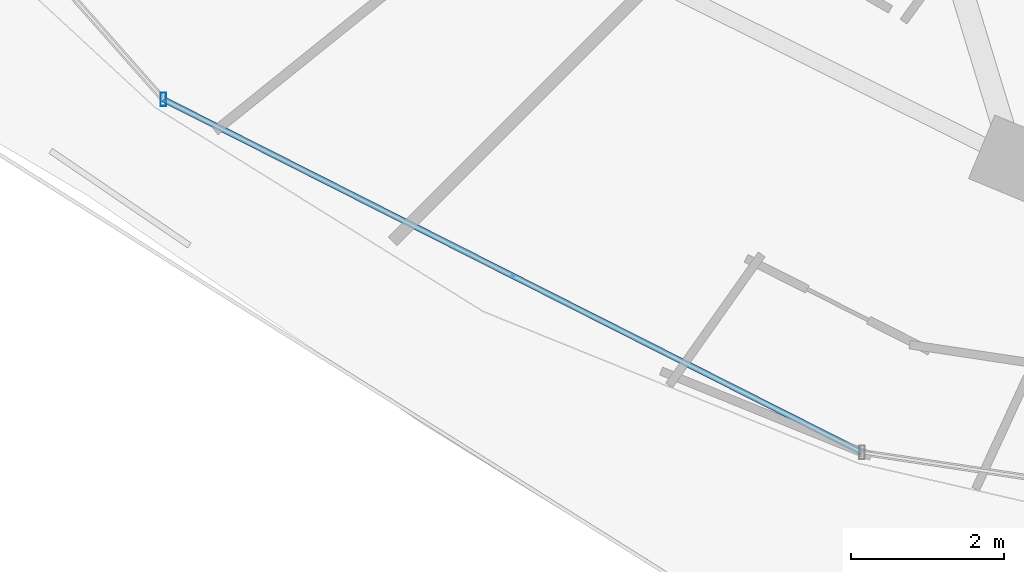
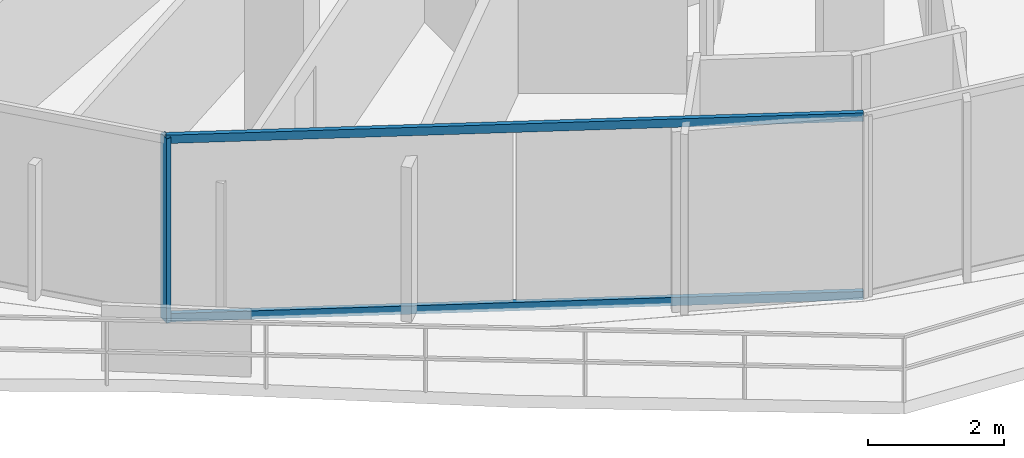
# One storey, part 2 of 34: 3 members, 1 element without a shape of its own.
"""IFC4 building model written with IfcOpenShell, lengths in metres."""

from ifc_helpers import new_model, si_unit, direction, frame, origin, origin_2d, place, context, subcontext, project, spatial, hollow_rectangle, extrude, material, material_profile, profile_set, type_object, element, aggregate, save


model = new_model("IFC4")

# Units and contexts
model_context = context("Model", 3, precision=1e-05, world=origin(), true_north=direction((0.0, 1.0)))
body_context = subcontext(model_context, "Body", "Model", "MODEL_VIEW")
ifc_project = project(units=[si_unit("LENGTHUNIT", "METRE"), si_unit("AREAUNIT", "SQUARE_METRE"), si_unit("VOLUMEUNIT", "CUBIC_METRE"), si_unit("PLANEANGLEUNIT", "RADIAN"), si_unit("MASSUNIT", "GRAM", prefix="KILO")], contexts=[model_context])

# Site, building, storey
site_placement = place(None, origin())
site = spatial("IfcSite", under=ifc_project, at=site_placement, CompositionType="ELEMENT")
building_placement = place(site_placement, origin())
building = spatial("IfcBuilding", under=site, at=building_placement, Name="Vorneva Point Tower", CompositionType="ELEMENT")
storey_placement = place(building_placement, frame((0.0, 0.0, 182.60009765625)))
storey = spatial("IfcBuildingStorey", under=building, at=storey_placement, Name="L49", CompositionType="ELEMENT", Elevation=182.60009765625)

# Curtain wall, members
ifc_material = material(Name="Pale anodised aluminium", Category="aluminium")
curtain_wall_type = type_object("IfcCurtainWallType", Name="CW-RES-SYS", PredefinedType="NOTDEFINED", material=ifc_material)
curtain_wall_placement = place(storey_placement, origin())
curtain_wall = element("IfcCurtainWall", 1, at=curtain_wall_placement, inside=storey, type_object=curtain_wall_type, Name="L49 Unitised Curtain Wall CW-L49-R03", PredefinedType="NOTDEFINED")
ifc_material_profile_1 = material_profile(ifc_material, hollow_rectangle(XDim=0.074951171875, YDim=0.179931640625, WallThickness=0.00390625, at=origin_2d()), Name="AL-MUL 180x75x4")
ifc_profile_set_1 = profile_set([ifc_material_profile_1], Name="Pale anodised aluminium")
member_type_1 = type_object("IfcMemberType", Name="CW-MUL-180", PredefinedType="MULLION", material=ifc_profile_set_1)
member_1_placement = place(storey_placement, frame((18.038330078125, 10.9033203125, -0.0400390625), z_axis=(0.0, 0.0, 1.0), x_axis=(1.0, 0.0, 0.0)))
member_1 = element("IfcMember", 2, at=member_1_placement, type_object=member_type_1, Name="CW-L49-R03 Mullion 02", PredefinedType="MULLION", context=body_context, shape_type="SweptSolid", body=[
    extrude(hollow_rectangle(XDim=0.074951171875, YDim=0.179931640625, WallThickness=0.00390625, at=origin_2d()), origin(), (0.0, 0.0, 1.0), 3.31005859375),
])
ifc_material_profile_2 = material_profile(ifc_material, hollow_rectangle(XDim=0.074951171875, YDim=0.14990234375, WallThickness=0.00390625, at=origin_2d()), Name="AL-TRN 150x75x4")
ifc_profile_set_2 = profile_set([ifc_material_profile_2], Name="Pale anodised aluminium")
member_type_2 = type_object("IfcMemberType", Name="CW-TRN-150", PredefinedType="USERDEFINED", material=ifc_profile_set_2)
member_2_placement = place(storey_placement, frame((18.038330078125, 10.9033203125, 0.02001953125), z_axis=(0.892510927709, -0.451025768576, 0.0), x_axis=(0.451025768576, 0.892510927709, 0.0)))
member_2 = element("IfcMember", 3, at=member_2_placement, type_object=member_type_2, Name="CW-L49-R03 Transom 02.1", ObjectType="TRANSOM", PredefinedType="USERDEFINED", context=body_context, shape_type="SweptSolid", body=[
    extrude(hollow_rectangle(XDim=0.074951171875, YDim=0.14990234375, WallThickness=0.00390625, at=origin_2d()), origin(), (0.0, 0.0, 1.0), 10.261474609375),
])
member_3_placement = place(storey_placement, frame((18.038330078125, 10.9033203125, 3.219970703125), z_axis=(0.892510927709, -0.451025768576, 0.0), x_axis=(0.451025768576, 0.892510927709, 0.0)))
member_3 = element("IfcMember", 4, at=member_3_placement, type_object=member_type_2, Name="CW-L49-R03 Transom 02.2", ObjectType="TRANSOM", PredefinedType="USERDEFINED", context=body_context, shape_type="SweptSolid", body=[
    extrude(hollow_rectangle(XDim=0.074951171875, YDim=0.14990234375, WallThickness=0.00390625, at=origin_2d()), origin(), (0.0, 0.0, 1.0), 10.261474609375),
])
aggregate(curtain_wall, [member_1, member_2, member_3])

save(model, "model.ifc")
